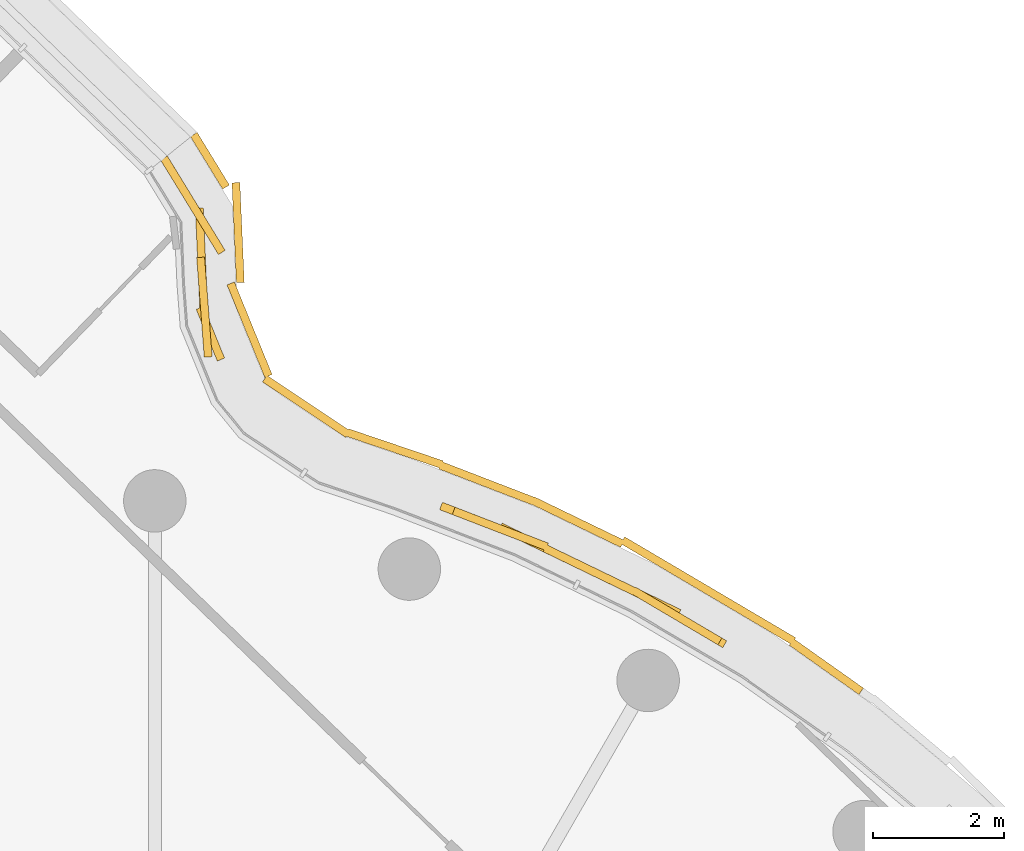
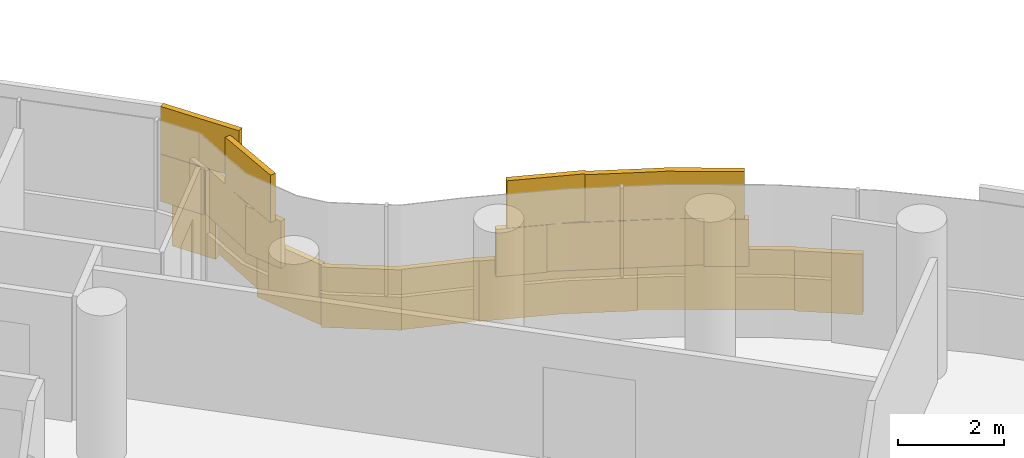
# One storey, part 30 of 31: 1 covering.
"""IFC4 building model written with IfcOpenShell, lengths in metres."""

from ifc_helpers import new_model, si_unit, direction, frame, origin, origin_2d, place, context, subcontext, project, spatial, rectangle, extrude, material, layer, layer_set, type_object, element, save


model = new_model("IFC4")

# Units and contexts
model_context = context("Model", 3, precision=1e-05, world=origin(), true_north=direction((0.0, 1.0)))
body_context = subcontext(model_context, "Body", "Model", "MODEL_VIEW")
ifc_project = project(units=[si_unit("LENGTHUNIT", "METRE"), si_unit("AREAUNIT", "SQUARE_METRE"), si_unit("VOLUMEUNIT", "CUBIC_METRE"), si_unit("PLANEANGLEUNIT", "RADIAN"), si_unit("MASSUNIT", "GRAM", prefix="KILO")], contexts=[model_context])

# Site, building, storey
site_placement = place(None, origin())
site = spatial("IfcSite", under=ifc_project, at=site_placement, CompositionType="ELEMENT")
building_placement = place(site_placement, origin())
building = spatial("IfcBuilding", under=site, at=building_placement, Name="Tamarind Cross Interchange Tower", CompositionType="ELEMENT")
storey_placement = place(building_placement, frame((0.0, 0.0, 200.5)))
storey = spatial("IfcBuildingStorey", under=building, at=storey_placement, Name="L50", CompositionType="ELEMENT", Elevation=200.5)

# Covering
ifc_material = material(Name="Terracotta", Category="masonry")
ifc_layer = layer(ifc_material, 0.1201171875)
ifc_layer_set = layer_set([ifc_layer], Name="Terracotta")
covering_type = type_object("IfcCoveringType", Name="Terracotta baguette screen unit", PredefinedType="MOLDING", material=ifc_layer_set)
covering_placement = place(storey_placement, origin())
element("IfcCovering", 1, at=covering_placement, inside=storey, type_object=covering_type, Name="SCR-L50-06-05", PredefinedType="MOLDING", context=body_context, shape_type="SweptSolid", body=[
    extrude(rectangle(XDim=0.849853515625, YDim=0.1201171875, at=origin_2d()), frame((12.298828125, 20.685546875, 1.40380859375), z_axis=(0.0, 0.0, 1.0), x_axis=(-0.861248933065, 0.508183308752, 0.0)), (0.0, 0.0, 1.0), 1.092041015625),
    extrude(rectangle(XDim=1.52001953125, YDim=0.1201171875, at=origin_2d()), frame((11.28759765625, 21.273193359375, 1.40380859375), z_axis=(0.0, 0.0, 1.0), x_axis=(-0.900272776334, 0.435326231914, 0.0)), (0.0, 0.0, 1.0), 1.092041015625),
    extrude(rectangle(XDim=1.52001953125, YDim=0.1201171875, at=origin_2d()), frame((9.93701171875, 21.92626953125, 1.40380859375), z_axis=(0.0, 0.0, 1.0), x_axis=(-0.900272776334, 0.435326231914, 0.0)), (0.0, 0.0, 1.0), 1.092041015625),
    extrude(rectangle(XDim=0.97119140625, YDim=0.1201171875, at=origin_2d()), frame((8.8017578125, 22.398681640625, 1.40380859375), z_axis=(0.0, 0.0, 1.0), x_axis=(-0.933146843667, 0.359495435512, 0.0)), (0.0, 0.0, 1.0), 1.092041015625),
    extrude(rectangle(XDim=0.848876953125, YDim=0.1201171875, at=origin_2d()), frame((4.840087890625, 25.194091796875, 1.40380859375), z_axis=(0.0, 0.0, 1.0), x_axis=(-0.377778189197, 0.925896127958, 0.0)), (0.0, 0.0, 1.0), 1.092041015625),
    extrude(rectangle(XDim=1.52001953125, YDim=0.1201171875, at=origin_2d()), frame((4.7041015625, 26.3466796875, 1.40380859375), z_axis=(0.0, 0.0, 1.0), x_axis=(-0.044097698036, 0.999027223367, 0.0)), (0.0, 0.0, 1.0), 1.092041015625),
    extrude(rectangle(XDim=0.9296875, YDim=0.1201171875, at=origin_2d()), frame((4.375732421875, 27.471435546875, 1.40380859375), z_axis=(0.0, 0.0, 1.0), x_axis=(-0.522348907446, 0.852731856383, 0.0)), (0.0, 0.0, 1.0), 1.092041015625),
    extrude(rectangle(XDim=1.52001953125, YDim=0.1201171875, at=origin_2d()), frame((11.93701171875, 20.89892578125, 2.50390625), z_axis=(0.0, 0.0, 1.0), x_axis=(-0.861248933065, 0.508183308752, 0.0)), (0.0, 0.0, 1.0), 1.092041015625),
    extrude(rectangle(XDim=1.52001953125, YDim=0.1201171875, at=origin_2d()), frame((10.6123046875, 21.599853515625, 2.50390625), z_axis=(0.0, 0.0, 1.0), x_axis=(-0.900272776334, 0.435326231914, 0.0)), (0.0, 0.0, 1.0), 1.092041015625),
    extrude(rectangle(XDim=1.52001953125, YDim=0.1201171875, at=origin_2d()), frame((9.250244140625, 22.225830078125, 2.50390625), z_axis=(0.0, 0.0, 1.0), x_axis=(-0.933146843667, 0.359495435512, 0.0)), (0.0, 0.0, 1.0), 1.092041015625),
    extrude(rectangle(XDim=1.52001953125, YDim=0.1201171875, at=origin_2d()), frame((4.74853515625, 25.59814453125, 2.50390625), z_axis=(0.0, 0.0, 1.0), x_axis=(-0.075842703225, 0.997119794392, 0.0)), (0.0, 0.0, 1.0), 1.092041015625),
    extrude(rectangle(XDim=1.52001953125, YDim=0.1201171875, at=origin_2d()), frame((4.615966796875, 27.0791015625, 2.50390625), z_axis=(0.0, 0.0, 1.0), x_axis=(-0.522348907446, 0.852731856383, 0.0)), (0.0, 0.0, 1.0), 1.092041015625),
    extrude(rectangle(XDim=0.1796875, YDim=0.1201171875, at=origin_2d()), frame((4.1796875, 27.791015625, 2.50390625), z_axis=(0.0, 0.0, 1.0), x_axis=(-0.522348907446, 0.852731856383, 0.0)), (0.0, 0.0, 1.0), 1.092041015625),
    extrude(rectangle(XDim=1.297607421875, YDim=0.1201171875, at=origin_2d()), frame((14.210693359375, 20.128662109375, 0.00390625), z_axis=(0.0, 0.0, 1.0), x_axis=(-0.816341886298, 0.577568978284, 0.0)), (0.0, 0.0, 1.0), 1.39208984375),
    extrude(rectangle(XDim=1.52001953125, YDim=0.1201171875, at=origin_2d()), frame((13.05908203125, 20.9033203125, 0.00390625), z_axis=(0.0, 0.0, 1.0), x_axis=(-0.861248933065, 0.508183308752, 0.0)), (0.0, 0.0, 1.0), 1.39208984375),
    extrude(rectangle(XDim=1.52001953125, YDim=0.1201171875, at=origin_2d()), frame((11.767333984375, 21.66552734375, 0.00390625), z_axis=(0.0, 0.0, 1.0), x_axis=(-0.861248933065, 0.508183308752, 0.0)), (0.0, 0.0, 1.0), 1.39208984375),
    extrude(rectangle(XDim=1.52001953125, YDim=0.1201171875, at=origin_2d()), frame((10.42236328125, 22.3291015625, 0.00390625), z_axis=(0.0, 0.0, 1.0), x_axis=(-0.900272776334, 0.435326231914, 0.0)), (0.0, 0.0, 1.0), 1.39208984375),
    extrude(rectangle(XDim=1.52001953125, YDim=0.1201171875, at=origin_2d()), frame((9.045166015625, 22.919921875, 0.00390625), z_axis=(0.0, 0.0, 1.0), x_axis=(-0.933146843667, 0.359495435512, 0.0)), (0.0, 0.0, 1.0), 1.39208984375),
    extrude(rectangle(XDim=1.52001953125, YDim=0.1201171875, at=origin_2d()), frame((7.641357421875, 23.44775390625, 0.00390625), z_axis=(0.0, 0.0, 1.0), x_axis=(-0.947218551696, 0.320588545215, 0.0)), (0.0, 0.0, 1.0), 1.39208984375),
    extrude(rectangle(XDim=1.52001953125, YDim=0.1201171875, at=origin_2d()), frame((6.298828125, 24.088134765625, 0.00390625), z_axis=(0.0, 0.0, 1.0), x_axis=(-0.832400058238, 0.554175191655, 0.0)), (0.0, 0.0, 1.0), 1.39208984375),
    extrude(rectangle(XDim=1.52001953125, YDim=0.1201171875, at=origin_2d()), frame((5.43505859375, 25.25537109375, 0.00390625), z_axis=(0.0, 0.0, 1.0), x_axis=(-0.377778189197, 0.925896127958, 0.0)), (0.0, 0.0, 1.0), 1.39208984375),
    extrude(rectangle(XDim=1.52001953125, YDim=0.1201171875, at=origin_2d()), frame((5.261474609375, 26.732666015625, 0.00390625), z_axis=(0.0, 0.0, 1.0), x_axis=(-0.044097698036, 0.999027223367, 0.0)), (0.0, 0.0, 1.0), 1.39208984375),
    extrude(rectangle(XDim=0.938232421875, YDim=0.1201171875, at=origin_2d()), frame((4.831787109375, 27.825439453125, 0.00390625), z_axis=(0.0, 0.0, 1.0), x_axis=(-0.522348907446, 0.852731856383, 0.0)), (0.0, 0.0, 1.0), 1.39208984375),
])

save(model, "model.ifc")
